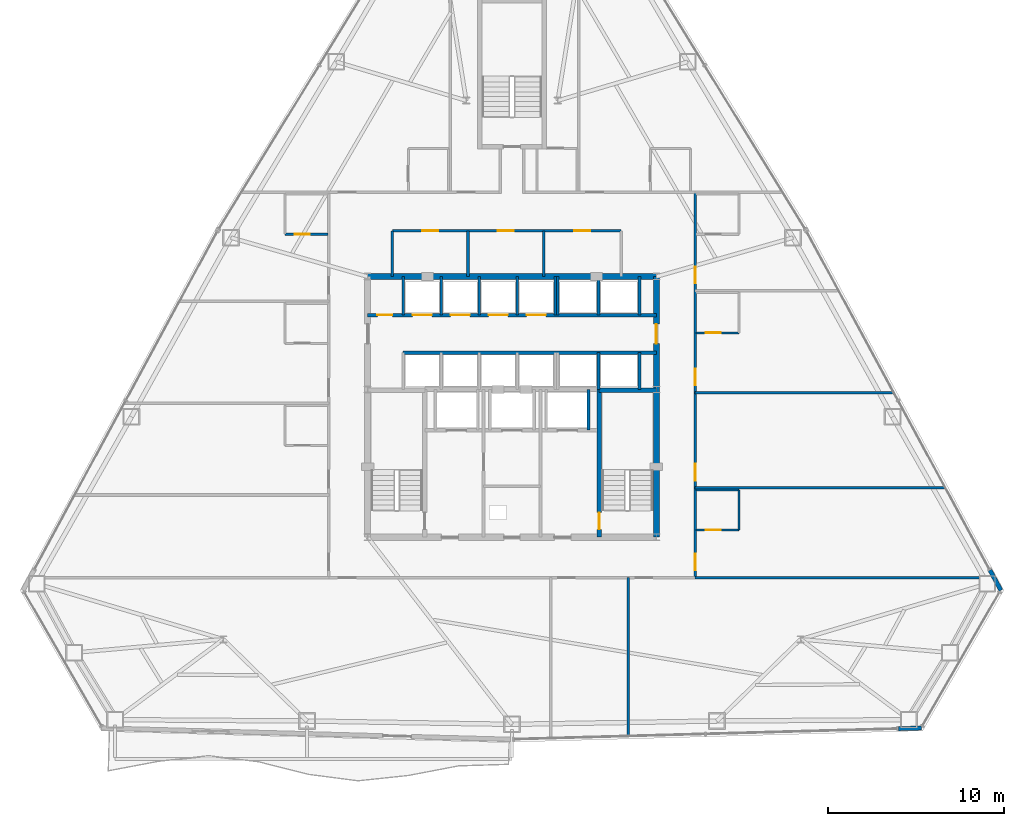
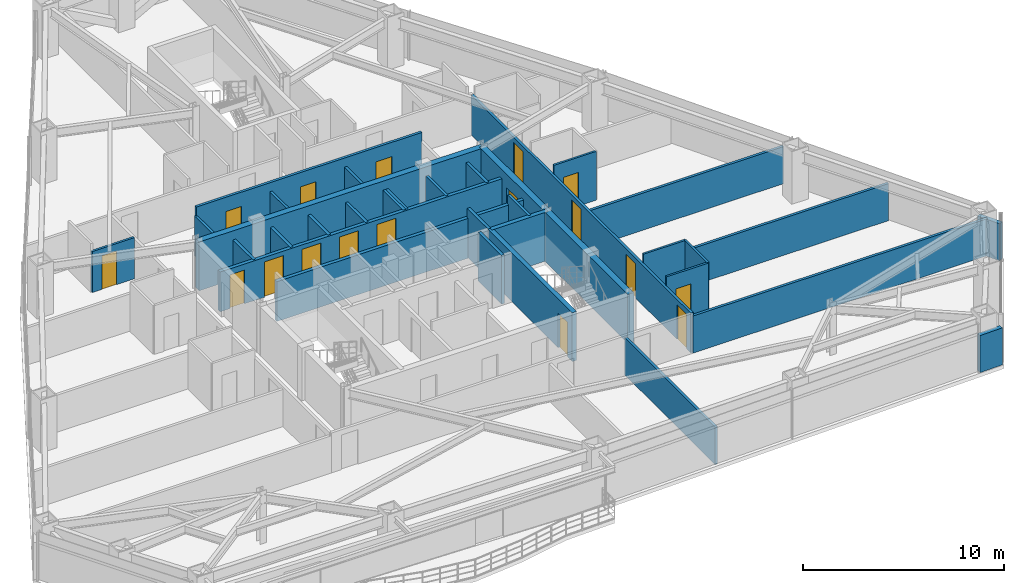
# One storey, part 10 of 13: 33 walls, 17 doors, 17 openings.
"""IFC4 building model written with IfcOpenShell, lengths in metres."""

from ifc_helpers import new_model, si_unit, direction, frame, frame_2d, origin, place, context, subcontext, project, spatial, rectangle, extrude, material, layer, layer_set, type_object, element, fill, save


model = new_model("IFC4")

# Units and contexts
model_context = context("Model", 3, precision=1e-05, world=origin(), true_north=direction((0.0, 1.0)))
body_context = subcontext(model_context, "Body", "Model", "MODEL_VIEW")
ifc_project = project(units=[si_unit("LENGTHUNIT", "METRE"), si_unit("AREAUNIT", "SQUARE_METRE"), si_unit("VOLUMEUNIT", "CUBIC_METRE"), si_unit("PLANEANGLEUNIT", "RADIAN"), si_unit("MASSUNIT", "GRAM", prefix="KILO")], contexts=[model_context])

# Site, building, storey
site_placement = place(None, origin())
site = spatial("IfcSite", under=ifc_project, at=site_placement, CompositionType="ELEMENT")
building_placement = place(site_placement, origin())
building = spatial("IfcBuilding", under=site, at=building_placement, Name="Varakhsha Concourse Tower", CompositionType="ELEMENT")
storey_placement = place(building_placement, frame((0.0, 0.0, 102.199951171875)))
storey = spatial("IfcBuildingStorey", under=building, at=storey_placement, Name="L29", CompositionType="ELEMENT", Elevation=102.199951171875)

# Wall
ifc_material_1 = material(Name="Concrete fc 65 MPa", Category="concrete")
ifc_layer_1 = layer(ifc_material_1, 0.35009765625, Name="WL-CORE-350")
ifc_layer_set_1 = layer_set([ifc_layer_1], Name="Concrete fc 65 MPa")
wall_type_1 = type_object("IfcWallType", Name="WL-CORE-350", PredefinedType="SHEAR", material=ifc_layer_set_1)
wall_1_placement = place(storey_placement, frame((31.800048828125, 31.199951171875, 0.0), z_axis=(0.0, 0.0, 1.0), x_axis=(1.0, 0.0, 0.0)))
element("IfcWall", 1, at=wall_1_placement, inside=storey, type_object=wall_type_1, Name="L29 Wall CWALL-N-L29", PredefinedType="SHEAR", context=body_context, shape_type="SweptSolid", body=[
    extrude(rectangle(XDim=16.39990234375, YDim=0.35009765625, at=frame_2d((8.199951171875, 0.0))), origin(), (0.0, 0.0, 1.0), 2.969970703125),
])

# Wall, opening, door
wall_2_placement = place(storey_placement, frame((48.199951171875, 16.39990234375, 0.0), z_axis=(0.0, 0.0, 1.0), x_axis=(0.0, 1.0, 0.0)))
wall_2 = element("IfcWall", 2, at=wall_2_placement, inside=storey, type_object=wall_type_1, Name="L29 Wall CWALL-E-L29", PredefinedType="SHEAR", context=body_context, shape_type="SweptSolid", body=[
    extrude(rectangle(XDim=14.800048828125, YDim=0.35009765625, at=frame_2d((7.39990234375, 0.0))), origin(), (0.0, 0.0, 1.0), 2.969970703125),
])
opening_1_placement = place(wall_2_placement, frame((11.0, 0.0, 0.0)))
opening_1 = element("IfcOpeningElement", 3, at=opening_1_placement, cuts=wall_2, Name="Opening DL-01", PredefinedType="OPENING", context=body_context, shape_type="SweptSolid", body=[
    extrude(rectangle(XDim=1.10009765625, YDim=2.14990234375, at=frame_2d((0.550048828125, 1.074951171875))), frame((0.0, 0.18505859375, 0.0), z_axis=(0.0, -1.0, 0.0), x_axis=(1.0, 0.0, 0.0)), (0.0, 0.0, 1.0), 0.3701171875),
])
ifc_material_2 = material(Name="Anodised Bronze Architectural Aluminium AA 6063-T6", Category="aluminium")
door_type_1 = type_object("IfcDoorType", Name="DR-LOB-1100", OperationType="NOTDEFINED", PredefinedType="DOOR", material=ifc_material_2)
door_1_placement = place(opening_1_placement, origin())
door_1 = element("IfcDoor", 4, at=door_1_placement, inside=storey, type_object=door_type_1, Name="L29 Lift Lobby East Concourse Door", OperationType="SINGLE_SWING_RIGHT", OverallHeight=2.14990234375, OverallWidth=1.10009765625, PredefinedType="DOOR", context=body_context, shape_type="SweptSolid", body=[
    extrude(rectangle(XDim=1.10009765625, YDim=2.14990234375, at=frame_2d((0.550048828125, 1.074951171875))), frame((0.0, 0.02490234375, 0.0), z_axis=(0.0, -1.0, 0.0), x_axis=(1.0, 0.0, 0.0)), (0.0, 0.0, 1.0), 0.050048828125),
])
fill(opening_1, door_1)

# Walls
ifc_material_3 = material(Name="Concrete fc 45 MPa", Category="concrete")
ifc_layer_2 = layer(ifc_material_3, 0.239990234375, Name="WL-EXT-CRN-240")
ifc_layer_set_2 = layer_set([ifc_layer_2], Name="Concrete fc 45 MPa")
wall_type_2 = type_object("IfcWallType", Name="WL-EXT-CRN-240", PredefinedType="SHEAR", material=ifc_layer_set_2)
wall_3_placement = place(storey_placement, frame((61.94775390625, 5.521728515625, 0.0), z_axis=(0.0, 0.0, 1.0), x_axis=(0.999614564295, 0.027761895635, 0.0)))
element("IfcWall", 5, at=wall_3_placement, inside=storey, type_object=wall_type_2, Name="L29 Wind-Corner Shoulder Wall F6", PredefinedType="SHEAR", context=body_context, shape_type="SweptSolid", body=[
    extrude(rectangle(XDim=1.310302734375, YDim=0.239990234375, at=frame_2d((0.6552734375, 0.0))), origin(), (0.0, 0.0, 1.0), 2.2529296875),
])
wall_4_placement = place(storey_placement, frame((67.773193359375, 13.37939453125, 0.0), z_axis=(0.0, 0.0, 1.0), x_axis=(-0.475820948293, 0.879542167929, 0.0)))
element("IfcWall", 6, at=wall_4_placement, inside=storey, type_object=wall_type_2, Name="L29 Wind-Corner Shoulder Wall F8", PredefinedType="SHEAR", context=body_context, shape_type="SweptSolid", body=[
    extrude(rectangle(XDim=1.310546875, YDim=0.239990234375, at=frame_2d((0.6552734375, 0.0))), origin(), (0.0, 0.0, 1.0), 2.2529296875),
])

# Wall, opening, door
ifc_material_4 = material(Name="Acoustic Gypsum Board Partition Assembly", Category="gypsum")
ifc_layer_3 = layer(ifc_material_4, 0.1201171875, Name="WL-PART-120")
ifc_layer_set_3 = layer_set([ifc_layer_3], Name="Acoustic Gypsum Board Partition Assembly")
wall_type_3 = type_object("IfcWallType", Name="WL-PART-120", PredefinedType="PARTITIONING", material=ifc_layer_set_3)
wall_5_placement = place(storey_placement, frame((27.110107421875, 33.610107421875, 0.0), z_axis=(0.0, 0.0, 1.0), x_axis=(1.0, 0.0, 0.0)))
wall_5 = element("IfcWall", 7, at=wall_5_placement, inside=storey, type_object=wall_type_3, Name="L29 Wall ENSW-S-L29-H07", PredefinedType="PARTITIONING", context=body_context, shape_type="SweptSolid", body=[
    extrude(rectangle(XDim=2.429931640625, YDim=0.1201171875, at=frame_2d((1.21484375, 0.0))), origin(), (0.0, 0.0, 1.0), 2.5029296875),
])
opening_2_placement = place(wall_5_placement, frame((0.550048828125, 0.0, 0.0)))
opening_2 = element("IfcOpeningElement", 8, at=opening_2_placement, cuts=wall_5, Name="Opening DI-01", PredefinedType="OPENING", context=body_context, shape_type="SweptSolid", body=[
    extrude(rectangle(XDim=0.85009765625, YDim=2.050048828125, at=frame_2d((0.425048828125, 1.02490234375))), frame((0.0, 0.070068359375, 0.0), z_axis=(0.0, -1.0, 0.0), x_axis=(1.0, 0.0, 0.0)), (0.0, 0.0, 1.0), 0.14013671875),
])
ifc_material_5 = material(Name="Architectural Walnut Acoustic Timber Door", Category="wood")
door_type_2 = type_object("IfcDoorType", Name="DR-INT-850", OperationType="NOTDEFINED", PredefinedType="DOOR", material=ifc_material_5)
door_2_placement = place(opening_2_placement, origin())
door_2 = element("IfcDoor", 9, at=door_2_placement, inside=storey, type_object=door_type_2, Name="L29 En-suite Bathroom Door L29-H07", OperationType="SINGLE_SWING_RIGHT", OverallHeight=2.050048828125, OverallWidth=0.85009765625, PredefinedType="DOOR", context=body_context, shape_type="SweptSolid", body=[
    extrude(rectangle(XDim=0.85009765625, YDim=2.050048828125, at=frame_2d((0.425048828125, 1.02490234375))), frame((0.0, 0.02490234375, 0.0), z_axis=(0.0, -1.0, 0.0), x_axis=(1.0, 0.0, 0.0)), (0.0, 0.0, 1.0), 0.050048828125),
])
fill(opening_2, door_2)

# Wall
wall_6_placement = place(storey_placement, frame((52.889892578125, 16.81005859375, 0.0), z_axis=(0.0, 0.0, 1.0), x_axis=(0.0, 1.0, 0.0)))
element("IfcWall", 10, at=wall_6_placement, inside=storey, type_object=wall_type_3, Name="L29 Wall ENSW-E-L29-H08", PredefinedType="PARTITIONING", context=body_context, shape_type="SweptSolid", body=[
    extrude(rectangle(XDim=2.280029296875, YDim=0.1201171875, at=frame_2d((1.14013671875, 0.0))), origin(), (0.0, 0.0, 1.0), 2.969970703125),
])

# Wall, opening, door
wall_7_placement = place(storey_placement, frame((50.4599609375, 16.81005859375, 0.0), z_axis=(0.0, 0.0, 1.0), x_axis=(1.0, 0.0, 0.0)))
wall_7 = element("IfcWall", 11, at=wall_7_placement, inside=storey, type_object=wall_type_3, Name="L29 Wall ENSW-S-L29-H08", PredefinedType="PARTITIONING", context=body_context, shape_type="SweptSolid", body=[
    extrude(rectangle(XDim=2.429931640625, YDim=0.1201171875, at=frame_2d((1.21484375, 0.0))), origin(), (0.0, 0.0, 1.0), 2.969970703125),
])
opening_3_placement = place(wall_7_placement, frame((0.550048828125, 0.0, 0.0)))
opening_3 = element("IfcOpeningElement", 12, at=opening_3_placement, cuts=wall_7, Name="Opening DI-01", PredefinedType="OPENING", context=body_context, shape_type="SweptSolid", body=[
    extrude(rectangle(XDim=0.85009765625, YDim=2.050048828125, at=frame_2d((0.425048828125, 1.02490234375))), frame((0.0, 0.070068359375, 0.0), z_axis=(0.0, -1.0, 0.0), x_axis=(1.0, 0.0, 0.0)), (0.0, 0.0, 1.0), 0.14013671875),
])
door_3_placement = place(opening_3_placement, origin())
door_3 = element("IfcDoor", 13, at=door_3_placement, inside=storey, type_object=door_type_2, Name="L29 En-suite Bathroom Door L29-H08", OperationType="SINGLE_SWING_RIGHT", OverallHeight=2.050048828125, OverallWidth=0.85009765625, PredefinedType="DOOR", context=body_context, shape_type="SweptSolid", body=[
    extrude(rectangle(XDim=0.85009765625, YDim=2.050048828125, at=frame_2d((0.425048828125, 1.02490234375))), frame((0.0, 0.02490234375, 0.0), z_axis=(0.0, -1.0, 0.0), x_axis=(1.0, 0.0, 0.0)), (0.0, 0.0, 1.0), 0.050048828125),
])
fill(opening_3, door_3)

# Wall
wall_8_placement = place(storey_placement, frame((50.4599609375, 19.090087890625, 0.0), z_axis=(0.0, 0.0, 1.0), x_axis=(1.0, 0.0, 0.0)))
element("IfcWall", 14, at=wall_8_placement, inside=storey, type_object=wall_type_3, Name="L29 Wall ENSW-N-L29-H08", PredefinedType="PARTITIONING", context=body_context, shape_type="SweptSolid", body=[
    extrude(rectangle(XDim=2.429931640625, YDim=0.1201171875, at=frame_2d((1.21484375, 0.0))), origin(), (0.0, 0.0, 1.0), 2.969970703125),
])

# Wall, opening, door
wall_9_placement = place(storey_placement, frame((50.4599609375, 28.010009765625, 0.0), z_axis=(0.0, 0.0, 1.0), x_axis=(1.0, 0.0, 0.0)))
wall_9 = element("IfcWall", 15, at=wall_9_placement, inside=storey, type_object=wall_type_3, Name="L29 Wall ENSW-S-L29-H10", PredefinedType="PARTITIONING", context=body_context, shape_type="SweptSolid", body=[
    extrude(rectangle(XDim=2.429931640625, YDim=0.1201171875, at=frame_2d((1.21484375, 0.0))), origin(), (0.0, 0.0, 1.0), 2.969970703125),
])
opening_4_placement = place(wall_9_placement, frame((0.550048828125, 0.0, 0.0)))
opening_4 = element("IfcOpeningElement", 16, at=opening_4_placement, cuts=wall_9, Name="Opening DI-01", PredefinedType="OPENING", context=body_context, shape_type="SweptSolid", body=[
    extrude(rectangle(XDim=0.85009765625, YDim=2.050048828125, at=frame_2d((0.425048828125, 1.02490234375))), frame((0.0, 0.070068359375, 0.0), z_axis=(0.0, -1.0, 0.0), x_axis=(1.0, 0.0, 0.0)), (0.0, 0.0, 1.0), 0.14013671875),
])
door_4_placement = place(opening_4_placement, origin())
door_4 = element("IfcDoor", 17, at=door_4_placement, inside=storey, type_object=door_type_2, Name="L29 En-suite Bathroom Door L29-H10", OperationType="SINGLE_SWING_RIGHT", OverallHeight=2.050048828125, OverallWidth=0.85009765625, PredefinedType="DOOR", context=body_context, shape_type="SweptSolid", body=[
    extrude(rectangle(XDim=0.85009765625, YDim=2.050048828125, at=frame_2d((0.425048828125, 1.02490234375))), frame((0.0, 0.02490234375, 0.0), z_axis=(0.0, -1.0, 0.0), x_axis=(1.0, 0.0, 0.0)), (0.0, 0.0, 1.0), 0.050048828125),
])
fill(opening_4, door_4)

# Wall, openings, doors
ifc_material_6 = material(Name="Fire-Rated Type X Gypsum Partition Assembly", Category="gypsum")
ifc_layer_4 = layer(ifc_material_6, 0.14990234375, Name="WL-PART-150")
ifc_layer_set_4 = layer_set([ifc_layer_4], Name="Fire-Rated Type X Gypsum Partition Assembly")
wall_type_4 = type_object("IfcWallType", Name="WL-PART-150", PredefinedType="PARTITIONING", material=ifc_layer_set_4)
wall_10_placement = place(storey_placement, frame((33.199951171875, 33.800048828125, 0.0), z_axis=(0.0, 0.0, 1.0), x_axis=(1.0, 0.0, 0.0)))
wall_10 = element("IfcWall", 18, at=wall_10_placement, inside=storey, type_object=wall_type_4, Name="L29 Wall NBOH-N-L29", PredefinedType="PARTITIONING", context=body_context, shape_type="SweptSolid", body=[
    extrude(rectangle(XDim=13.0, YDim=0.14990234375, at=frame_2d((6.5, 0.0))), origin(), (0.0, 0.0, 1.0), 2.969970703125),
])
opening_5_placement = place(wall_10_placement, frame((1.699951171875, 0.0, 0.0)))
opening_5 = element("IfcOpeningElement", 19, at=opening_5_placement, cuts=wall_10, Name="Opening DF-06", PredefinedType="OPENING", context=body_context, shape_type="SweptSolid", body=[
    extrude(rectangle(XDim=0.89990234375, YDim=2.10009765625, at=frame_2d((0.449951171875, 1.050048828125))), frame((0.0, 0.0849609375, 0.0), z_axis=(0.0, -1.0, 0.0), x_axis=(1.0, 0.0, 0.0)), (0.0, 0.0, 1.0), 0.169921875),
])
opening_6_placement = place(wall_10_placement, frame((6.0, 0.0, 0.0)))
opening_6 = element("IfcOpeningElement", 20, at=opening_6_placement, cuts=wall_10, Name="Opening DF-06", PredefinedType="OPENING", context=body_context, shape_type="SweptSolid", body=[
    extrude(rectangle(XDim=0.89990234375, YDim=2.10009765625, at=frame_2d((0.449951171875, 1.050048828125))), frame((0.0, 0.0849609375, 0.0), z_axis=(0.0, -1.0, 0.0), x_axis=(1.0, 0.0, 0.0)), (0.0, 0.0, 1.0), 0.169921875),
])
opening_7_placement = place(wall_10_placement, frame((10.35009765625, 0.0, 0.0)))
opening_7 = element("IfcOpeningElement", 21, at=opening_7_placement, cuts=wall_10, Name="Opening DF-06", PredefinedType="OPENING", context=body_context, shape_type="SweptSolid", body=[
    extrude(rectangle(XDim=0.89990234375, YDim=2.10009765625, at=frame_2d((0.449951171875, 1.050048828125))), frame((0.0, 0.0849609375, 0.0), z_axis=(0.0, -1.0, 0.0), x_axis=(1.0, 0.0, 0.0)), (0.0, 0.0, 1.0), 0.169921875),
])
ifc_material_7 = material(Name="Hollow Galvanised Steel Fire Door Assembly", Category="steel")
door_type_3 = type_object("IfcDoorType", Name="DR-FD60-900", OperationType="NOTDEFINED", PredefinedType="DOOR", material=ifc_material_7)
door_5_placement = place(opening_5_placement, origin())
door_5 = element("IfcDoor", 22, at=door_5_placement, inside=storey, type_object=door_type_3, Name="L29 Housekeeping and Linen Room Door", OperationType="SINGLE_SWING_LEFT", OverallHeight=2.10009765625, OverallWidth=0.89990234375, PredefinedType="DOOR", context=body_context, shape_type="SweptSolid", body=[
    extrude(rectangle(XDim=0.89990234375, YDim=2.10009765625, at=frame_2d((0.449951171875, 1.050048828125))), frame((0.0, 0.02490234375, 0.0), z_axis=(0.0, -1.0, 0.0), x_axis=(1.0, 0.0, 0.0)), (0.0, 0.0, 1.0), 0.050048828125),
])
fill(opening_5, door_5)
door_6_placement = place(opening_6_placement, origin())
door_6 = element("IfcDoor", 23, at=door_6_placement, inside=storey, type_object=door_type_3, Name="L29 Accessible WC Door", OperationType="SINGLE_SWING_RIGHT", OverallHeight=2.10009765625, OverallWidth=0.89990234375, PredefinedType="DOOR", context=body_context, shape_type="SweptSolid", body=[
    extrude(rectangle(XDim=0.89990234375, YDim=2.10009765625, at=frame_2d((0.449951171875, 1.050048828125))), frame((0.0, 0.02490234375, 0.0), z_axis=(0.0, -1.0, 0.0), x_axis=(1.0, 0.0, 0.0)), (0.0, 0.0, 1.0), 0.050048828125),
])
fill(opening_6, door_6)
door_7_placement = place(opening_7_placement, origin())
door_7 = element("IfcDoor", 24, at=door_7_placement, inside=storey, type_object=door_type_3, Name="L29 Staff Restroom WC Door", OperationType="SINGLE_SWING_LEFT", OverallHeight=2.10009765625, OverallWidth=0.89990234375, PredefinedType="DOOR", context=body_context, shape_type="SweptSolid", body=[
    extrude(rectangle(XDim=0.89990234375, YDim=2.10009765625, at=frame_2d((0.449951171875, 1.050048828125))), frame((0.0, 0.02490234375, 0.0), z_axis=(0.0, -1.0, 0.0), x_axis=(1.0, 0.0, 0.0)), (0.0, 0.0, 1.0), 0.050048828125),
])
fill(opening_7, door_7)

# Walls
for number, where, z_axis, x_axis, name in (
    (25, (33.199951171875, 31.199951171875, 0.0), (0.0, 0.0, 1.0), (0.0, 1.0, 0.0), "L29 Wall NBOH-W-L29"),
    (26, (37.5, 31.199951171875, 0.0), (0.0, 0.0, 1.0), (0.0, 1.0, 0.0), "L29 Wall NBOH-D1-L29"),
    (27, (41.800048828125, 31.199951171875, 0.0), (0.0, 0.0, 1.0), (0.0, 1.0, 0.0), "L29 Wall NBOH-D2-L29"),
):
    element("IfcWall", number, at=place(storey_placement, frame(where, z_axis=z_axis, x_axis=x_axis)), inside=storey, type_object=wall_type_4, Name=name, PredefinedType="PARTITIONING", context=body_context, shape_type="SweptSolid", body=[
        extrude(rectangle(XDim=2.60009765625, YDim=0.14990234375, at=frame_2d((1.300048828125, 0.0))), origin(), (0.0, 0.0, 1.0), 2.421142578125),
    ])

# Wall, openings, doors
wall_11_placement = place(storey_placement, frame((50.39990234375, 14.10009765625, 0.0), z_axis=(0.0, 0.0, 1.0), x_axis=(0.0, 1.0, 0.0)))
wall_11 = element("IfcWall", 28, at=wall_11_placement, inside=storey, type_object=wall_type_4, Name="L29 Wall CRW-E-L29", PredefinedType="PARTITIONING", context=body_context, shape_type="SweptSolid", body=[
    extrude(rectangle(XDim=21.89990234375, YDim=0.14990234375, at=frame_2d((10.949951171875, 0.0))), origin(), (0.0, 0.0, 1.0), 2.421142578125),
])
opening_8_placement = place(wall_11_placement, frame((0.419921875, 0.0, 0.0)))
opening_8 = element("IfcOpeningElement", 29, at=opening_8_placement, cuts=wall_11, Name="Opening DF-05", PredefinedType="OPENING", context=body_context, shape_type="SweptSolid", body=[
    extrude(rectangle(XDim=0.949951171875, YDim=2.10009765625, at=frame_2d((0.47509765625, 1.050048828125))), frame((0.0, 0.0849609375, 0.0), z_axis=(0.0, -1.0, 0.0), x_axis=(1.0, 0.0, 0.0)), (0.0, 0.0, 1.0), 0.169921875),
])
opening_9_placement = place(wall_11_placement, frame((5.52001953125, 0.0, 0.0)))
opening_9 = element("IfcOpeningElement", 30, at=opening_9_placement, cuts=wall_11, Name="Opening DF-05", PredefinedType="OPENING", context=body_context, shape_type="SweptSolid", body=[
    extrude(rectangle(XDim=0.949951171875, YDim=2.10009765625, at=frame_2d((0.47509765625, 1.050048828125))), frame((0.0, 0.0849609375, 0.0), z_axis=(0.0, -1.0, 0.0), x_axis=(1.0, 0.0, 0.0)), (0.0, 0.0, 1.0), 0.169921875),
])
opening_10_placement = place(wall_11_placement, frame((10.919921875, 0.0, 0.0)))
opening_10 = element("IfcOpeningElement", 31, at=opening_10_placement, cuts=wall_11, Name="Opening DF-05", PredefinedType="OPENING", context=body_context, shape_type="SweptSolid", body=[
    extrude(rectangle(XDim=0.949951171875, YDim=2.10009765625, at=frame_2d((0.47509765625, 1.050048828125))), frame((0.0, 0.0849609375, 0.0), z_axis=(0.0, -1.0, 0.0), x_axis=(1.0, 0.0, 0.0)), (0.0, 0.0, 1.0), 0.169921875),
])
opening_11_placement = place(wall_11_placement, frame((16.719970703125, 0.0, 0.0)))
opening_11 = element("IfcOpeningElement", 32, at=opening_11_placement, cuts=wall_11, Name="Opening DF-05", PredefinedType="OPENING", context=body_context, shape_type="SweptSolid", body=[
    extrude(rectangle(XDim=0.949951171875, YDim=2.10009765625, at=frame_2d((0.47509765625, 1.050048828125))), frame((0.0, 0.0849609375, 0.0), z_axis=(0.0, -1.0, 0.0), x_axis=(1.0, 0.0, 0.0)), (0.0, 0.0, 1.0), 0.169921875),
])
door_type_4 = type_object("IfcDoorType", Name="DR-FD60-950", OperationType="NOTDEFINED", PredefinedType="DOOR", material=ifc_material_7)
door_8_placement = place(opening_8_placement, origin())
door_8 = element("IfcDoor", 33, at=door_8_placement, inside=storey, type_object=door_type_4, Name="L29 Hotel Corner Suite L29-H08 Entry Door", OperationType="SINGLE_SWING_RIGHT", OverallHeight=2.10009765625, OverallWidth=0.949951171875, PredefinedType="DOOR", context=body_context, shape_type="SweptSolid", body=[
    extrude(rectangle(XDim=0.949951171875, YDim=2.10009765625, at=frame_2d((0.47509765625, 1.050048828125))), frame((0.0, 0.02490234375, 0.0), z_axis=(0.0, -1.0, 0.0), x_axis=(1.0, 0.0, 0.0)), (0.0, 0.0, 1.0), 0.050048828125),
])
fill(opening_8, door_8)
door_9_placement = place(opening_9_placement, origin())
door_9 = element("IfcDoor", 34, at=door_9_placement, inside=storey, type_object=door_type_4, Name="L29 Sky-Loggia Reading Lounge L29-H09 Door", OperationType="SINGLE_SWING_LEFT", OverallHeight=2.10009765625, OverallWidth=0.949951171875, PredefinedType="DOOR", context=body_context, shape_type="SweptSolid", body=[
    extrude(rectangle(XDim=0.949951171875, YDim=2.10009765625, at=frame_2d((0.47509765625, 1.050048828125))), frame((0.0, 0.02490234375, 0.0), z_axis=(0.0, -1.0, 0.0), x_axis=(1.0, 0.0, 0.0)), (0.0, 0.0, 1.0), 0.050048828125),
])
fill(opening_9, door_9)
door_10_placement = place(opening_10_placement, origin())
door_10 = element("IfcDoor", 35, at=door_10_placement, inside=storey, type_object=door_type_4, Name="L29 Hotel Corner Suite L29-H10 Entry Door", OperationType="SINGLE_SWING_RIGHT", OverallHeight=2.10009765625, OverallWidth=0.949951171875, PredefinedType="DOOR", context=body_context, shape_type="SweptSolid", body=[
    extrude(rectangle(XDim=0.949951171875, YDim=2.10009765625, at=frame_2d((0.47509765625, 1.050048828125))), frame((0.0, 0.02490234375, 0.0), z_axis=(0.0, -1.0, 0.0), x_axis=(1.0, 0.0, 0.0)), (0.0, 0.0, 1.0), 0.050048828125),
])
fill(opening_10, door_10)
door_11_placement = place(opening_11_placement, origin())
door_11 = element("IfcDoor", 36, at=door_11_placement, inside=storey, type_object=door_type_4, Name="L29 Hotel Guest Room L29-H11 Entry Door", OperationType="SINGLE_SWING_LEFT", OverallHeight=2.10009765625, OverallWidth=0.949951171875, PredefinedType="DOOR", context=body_context, shape_type="SweptSolid", body=[
    extrude(rectangle(XDim=0.949951171875, YDim=2.10009765625, at=frame_2d((0.47509765625, 1.050048828125))), frame((0.0, 0.02490234375, 0.0), z_axis=(0.0, -1.0, 0.0), x_axis=(1.0, 0.0, 0.0)), (0.0, 0.0, 1.0), 0.050048828125),
])
fill(opening_11, door_11)

# Walls
wall_12_placement = place(storey_placement, frame((46.60009765625, 5.10400390625, 0.0), z_axis=(0.0, 0.0, 1.0), x_axis=(0.0, 1.0, 0.0)))
element("IfcWall", 37, at=wall_12_placement, inside=storey, type_object=wall_type_4, Name="L29 Wall HDIV-S2-L29", PredefinedType="PARTITIONING", context=body_context, shape_type="SweptSolid", body=[
    extrude(rectangle(XDim=8.99609375, YDim=0.14990234375, at=frame_2d((4.498046875, 0.0))), origin(), (0.0, 0.0, 1.0), 2.258056640625),
])
wall_13_placement = place(storey_placement, frame((50.39990234375, 14.10009765625, 0.0), z_axis=(0.0, 0.0, 1.0), x_axis=(1.0, 0.0, 0.0)))
element("IfcWall", 38, at=wall_13_placement, inside=storey, type_object=wall_type_4, Name="L29 Wall HDIV-EB0-L29", PredefinedType="PARTITIONING", context=body_context, shape_type="SweptSolid", body=[
    extrude(rectangle(XDim=16.977783203125, YDim=0.14990234375, at=frame_2d((8.48876953125, 0.0))), origin(), (0.0, 0.0, 1.0), 2.258056640625),
])
wall_14_placement = place(storey_placement, frame((50.39990234375, 19.199951171875, 0.0), z_axis=(0.0, 0.0, 1.0), x_axis=(1.0, 0.0, 0.0)))
element("IfcWall", 39, at=wall_14_placement, inside=storey, type_object=wall_type_4, Name="L29 Wall HDIV-E1-L29", PredefinedType="PARTITIONING", context=body_context, shape_type="SweptSolid", body=[
    extrude(rectangle(XDim=14.2177734375, YDim=0.14990234375, at=frame_2d((7.10888671875, 0.0))), origin(), (0.0, 0.0, 1.0), 2.258056640625),
])
wall_15_placement = place(storey_placement, frame((50.39990234375, 24.60009765625, 0.0), z_axis=(0.0, 0.0, 1.0), x_axis=(1.0, 0.0, 0.0)))
element("IfcWall", 40, at=wall_15_placement, inside=storey, type_object=wall_type_4, Name="L29 Wall HDIV-E2-L29", PredefinedType="PARTITIONING", context=body_context, shape_type="SweptSolid", body=[
    extrude(rectangle(XDim=11.29541015625, YDim=0.14990234375, at=frame_2d((5.647705078125, 0.0))), origin(), (0.0, 0.0, 1.0), 2.258056640625),
])
ifc_layer_5 = layer(ifc_material_6, 0.199951171875, Name="WL-SHAFT-220")
ifc_layer_set_5 = layer_set([ifc_layer_5], Name="Fire-Rated Type X Gypsum Partition Assembly")
wall_type_5 = type_object("IfcWallType", Name="WL-SHAFT-220", PredefinedType="SOLIDWALL", material=ifc_layer_set_5)
wall_16_placement = place(storey_placement, frame((44.35009765625, 22.47998046875, 0.0), z_axis=(0.0, 0.0, 1.0), x_axis=(0.0, 1.0, 0.0)))
element("IfcWall", 41, at=wall_16_placement, inside=storey, type_object=wall_type_5, Name="L29 Wall SHW-FFL-2-E-L29", PredefinedType="SOLIDWALL", context=body_context, shape_type="SweptSolid", body=[
    extrude(rectangle(XDim=2.320068359375, YDim=0.159912109375, at=frame_2d((1.16015625, 0.0))), origin(), (0.0, 0.0, 1.0), 2.969970703125),
])

# Wall, openings, doors
wall_17_placement = place(storey_placement, frame((31.800048828125, 29.02001953125, 0.0), z_axis=(0.0, 0.0, 1.0), x_axis=(1.0, 0.0, 0.0)))
wall_17 = element("IfcWall", 42, at=wall_17_placement, inside=storey, type_object=wall_type_5, Name="L29 Wall PLW-N-L29", PredefinedType="SOLIDWALL", context=body_context, shape_type="SweptSolid", body=[
    extrude(rectangle(XDim=16.39990234375, YDim=0.199951171875, at=frame_2d((8.199951171875, 0.0))), origin(), (0.0, 0.0, 1.0), 2.421142578125),
])
opening_12_placement = place(wall_17_placement, frame((0.550048828125, 0.0, 0.0)))
opening_12 = element("IfcOpeningElement", 43, at=opening_12_placement, cuts=wall_17, Name="Opening DF-07", PredefinedType="OPENING", context=body_context, shape_type="SweptSolid", body=[
    extrude(rectangle(XDim=0.85009765625, YDim=2.050048828125, at=frame_2d((0.425048828125, 1.02490234375))), frame((0.0, 0.10986328125, 0.0), z_axis=(0.0, -1.0, 0.0), x_axis=(1.0, 0.0, 0.0)), (0.0, 0.0, 1.0), 0.219970703125),
])
opening_13_placement = place(wall_17_placement, frame((2.550048828125, 0.0, 0.0)))
opening_13 = element("IfcOpeningElement", 44, at=opening_13_placement, cuts=wall_17, Name="Opening LD-LF-P01", PredefinedType="OPENING", context=body_context, shape_type="SweptSolid", body=[
    extrude(rectangle(XDim=1.10009765625, YDim=2.14990234375, at=frame_2d((0.550048828125, 1.074951171875))), frame((0.0, 0.10986328125, 0.0), z_axis=(0.0, -1.0, 0.0), x_axis=(1.0, 0.0, 0.0)), (0.0, 0.0, 1.0), 0.219970703125),
])
opening_14_placement = place(wall_17_placement, frame((4.7099609375, 0.0, 0.0)))
opening_14 = element("IfcOpeningElement", 45, at=opening_14_placement, cuts=wall_17, Name="Opening LD-LF-P02", PredefinedType="OPENING", context=body_context, shape_type="SweptSolid", body=[
    extrude(rectangle(XDim=1.10009765625, YDim=2.14990234375, at=frame_2d((0.550048828125, 1.074951171875))), frame((0.0, 0.10986328125, 0.0), z_axis=(0.0, -1.0, 0.0), x_axis=(1.0, 0.0, 0.0)), (0.0, 0.0, 1.0), 0.219970703125),
])
opening_15_placement = place(wall_17_placement, frame((6.8701171875, 0.0, 0.0)))
opening_15 = element("IfcOpeningElement", 46, at=opening_15_placement, cuts=wall_17, Name="Opening LD-LF-P03", PredefinedType="OPENING", context=body_context, shape_type="SweptSolid", body=[
    extrude(rectangle(XDim=1.10009765625, YDim=2.14990234375, at=frame_2d((0.550048828125, 1.074951171875))), frame((0.0, 0.10986328125, 0.0), z_axis=(0.0, -1.0, 0.0), x_axis=(1.0, 0.0, 0.0)), (0.0, 0.0, 1.0), 0.219970703125),
])
opening_16_placement = place(wall_17_placement, frame((9.030029296875, 0.0, 0.0)))
opening_16 = element("IfcOpeningElement", 47, at=opening_16_placement, cuts=wall_17, Name="Opening LD-LF-P04", PredefinedType="OPENING", context=body_context, shape_type="SweptSolid", body=[
    extrude(rectangle(XDim=1.10009765625, YDim=2.14990234375, at=frame_2d((0.550048828125, 1.074951171875))), frame((0.0, 0.10986328125, 0.0), z_axis=(0.0, -1.0, 0.0), x_axis=(1.0, 0.0, 0.0)), (0.0, 0.0, 1.0), 0.219970703125),
])
door_type_5 = type_object("IfcDoorType", Name="DR-FD60-850", OperationType="NOTDEFINED", PredefinedType="DOOR", material=ifc_material_7)
door_12_placement = place(opening_12_placement, origin())
door_12 = element("IfcDoor", 48, at=door_12_placement, inside=storey, type_object=door_type_5, Name="L29 Core Janitor Closet Door", OperationType="SINGLE_SWING_LEFT", OverallHeight=2.050048828125, OverallWidth=0.85009765625, PredefinedType="DOOR", context=body_context, shape_type="SweptSolid", body=[
    extrude(rectangle(XDim=0.85009765625, YDim=2.050048828125, at=frame_2d((0.425048828125, 1.02490234375))), frame((0.0, 0.02490234375, 0.0), z_axis=(0.0, -1.0, 0.0), x_axis=(1.0, 0.0, 0.0)), (0.0, 0.0, 1.0), 0.050048828125),
])
fill(opening_12, door_12)
ifc_material_8 = material(Name="Brushed Austenitic Stainless Steel AISI 316", Category="steel")
door_type_6 = type_object("IfcDoorType", Name="DR-LD-1100", OperationType="DOUBLE_DOOR_SLIDING", PredefinedType="DOOR", material=ifc_material_8)
door_13_placement = place(opening_13_placement, origin())
door_13 = element("IfcDoor", 49, at=door_13_placement, inside=storey, type_object=door_type_6, Name="Lift Landing Door LF-P01 L29", OperationType="DOUBLE_DOOR_SLIDING", OverallHeight=2.14990234375, OverallWidth=1.10009765625, PredefinedType="DOOR", context=body_context, shape_type="SweptSolid", body=[
    extrude(rectangle(XDim=1.10009765625, YDim=2.14990234375, at=frame_2d((0.550048828125, 1.074951171875))), frame((0.0, 0.02490234375, 0.0), z_axis=(0.0, -1.0, 0.0), x_axis=(1.0, 0.0, 0.0)), (0.0, 0.0, 1.0), 0.050048828125),
])
fill(opening_13, door_13)
door_14_placement = place(opening_14_placement, origin())
door_14 = element("IfcDoor", 50, at=door_14_placement, inside=storey, type_object=door_type_6, Name="Lift Landing Door LF-P02 L29", OperationType="DOUBLE_DOOR_SLIDING", OverallHeight=2.14990234375, OverallWidth=1.10009765625, PredefinedType="DOOR", context=body_context, shape_type="SweptSolid", body=[
    extrude(rectangle(XDim=1.10009765625, YDim=2.14990234375, at=frame_2d((0.550048828125, 1.074951171875))), frame((0.0, 0.02490234375, 0.0), z_axis=(0.0, -1.0, 0.0), x_axis=(1.0, 0.0, 0.0)), (0.0, 0.0, 1.0), 0.050048828125),
])
fill(opening_14, door_14)
door_15_placement = place(opening_15_placement, origin())
door_15 = element("IfcDoor", 51, at=door_15_placement, inside=storey, type_object=door_type_6, Name="Lift Landing Door LF-P03 L29", OperationType="DOUBLE_DOOR_SLIDING", OverallHeight=2.14990234375, OverallWidth=1.10009765625, PredefinedType="DOOR", context=body_context, shape_type="SweptSolid", body=[
    extrude(rectangle(XDim=1.10009765625, YDim=2.14990234375, at=frame_2d((0.550048828125, 1.074951171875))), frame((0.0, 0.02490234375, 0.0), z_axis=(0.0, -1.0, 0.0), x_axis=(1.0, 0.0, 0.0)), (0.0, 0.0, 1.0), 0.050048828125),
])
fill(opening_15, door_15)
door_16_placement = place(opening_16_placement, origin())
door_16 = element("IfcDoor", 52, at=door_16_placement, inside=storey, type_object=door_type_6, Name="Lift Landing Door LF-P04 L29", OperationType="DOUBLE_DOOR_SLIDING", OverallHeight=2.14990234375, OverallWidth=1.10009765625, PredefinedType="DOOR", context=body_context, shape_type="SweptSolid", body=[
    extrude(rectangle(XDim=1.10009765625, YDim=2.14990234375, at=frame_2d((0.550048828125, 1.074951171875))), frame((0.0, 0.02490234375, 0.0), z_axis=(0.0, -1.0, 0.0), x_axis=(1.0, 0.0, 0.0)), (0.0, 0.0, 1.0), 0.050048828125),
])
fill(opening_16, door_16)

# Walls
wall_18_placement = place(storey_placement, frame((33.820068359375, 26.8798828125, 0.0), z_axis=(0.0, 0.0, 1.0), x_axis=(1.0, 0.0, 0.0)))
element("IfcWall", 53, at=wall_18_placement, inside=storey, type_object=wall_type_5, Name="L29 Wall PLW-S-L29", PredefinedType="SOLIDWALL", context=body_context, shape_type="SweptSolid", body=[
    extrude(rectangle(XDim=14.3798828125, YDim=0.199951171875, at=frame_2d((7.18994140625, 0.0))), origin(), (0.0, 0.0, 1.0), 2.421142578125),
])
for number, where, z_axis, x_axis, name in (
    (54, (33.820068359375, 29.02001953125, 0.0), (0.0, 0.0, 1.0), (0.0, 1.0, 0.0), "L29 Wall WBOH-E1-L29"),
    (55, (35.97998046875, 29.02001953125, 0.0), (0.0, 0.0, 1.0), (0.0, 1.0, 0.0), "L29 Wall SHW-LF-P01-E-L29"),
    (56, (38.139892578125, 29.02001953125, 0.0), (0.0, 0.0, 1.0), (0.0, 1.0, 0.0), "L29 Wall SHW-LF-P02-E-L29"),
    (57, (40.300048828125, 29.02001953125, 0.0), (0.0, 0.0, 1.0), (0.0, 1.0, 0.0), "L29 Wall SHW-LF-P03-E-L29"),
    (58, (42.4599609375, 29.02001953125, 0.0), (0.0, 0.0, 1.0), (0.0, 1.0, 0.0), "L29 Wall SHW-LF-P04-E-L29"),
    (59, (42.60009765625, 29.02001953125, 0.0), (0.0, 0.0, 1.0), (0.0, 1.0, 0.0), "L29 Wall SHW-LF-P09-W-L29"),
    (60, (44.919921875, 29.02001953125, 0.0), (0.0, 0.0, 1.0), (0.0, 1.0, 0.0), "L29 Wall SHW-LF-P09-E-L29"),
    (61, (47.239990234375, 29.02001953125, 0.0), (0.0, 0.0, 1.0), (0.0, 1.0, 0.0), "L29 Wall SHW-LF-P10-E-L29"),
):
    element("IfcWall", number, at=place(storey_placement, frame(where, z_axis=z_axis, x_axis=x_axis)), inside=storey, type_object=wall_type_5, Name=name, PredefinedType="SOLIDWALL", context=body_context, shape_type="SweptSolid", body=[
        extrude(rectangle(XDim=2.179931640625, YDim=0.159912109375, at=frame_2d((1.08984375, 0.0))), origin(), (0.0, 0.0, 1.0), 2.421142578125),
    ])
for number, where, z_axis, x_axis, name in (
    (62, (44.919921875, 24.800048828125, 0.0), (0.0, 0.0, 1.0), (0.0, 1.0, 0.0), "L29 Wall SHW-LF-P11-E-L29"),
    (63, (47.239990234375, 24.800048828125, 0.0), (0.0, 0.0, 1.0), (0.0, 1.0, 0.0), "L29 Wall SHW-LF-P12-E-L29"),
):
    element("IfcWall", number, at=place(storey_placement, frame(where, z_axis=z_axis, x_axis=x_axis)), inside=storey, type_object=wall_type_5, Name=name, PredefinedType="SOLIDWALL", context=body_context, shape_type="SweptSolid", body=[
        extrude(rectangle(XDim=2.079833984375, YDim=0.159912109375, at=frame_2d((1.0400390625, 0.0))), origin(), (0.0, 0.0, 1.0), 2.969970703125),
    ])

# Wall, opening, door
ifc_layer_6 = layer(ifc_material_3, 0.25, Name="WL-STAIR-250")
ifc_layer_set_6 = layer_set([ifc_layer_6], Name="Concrete fc 45 MPa")
wall_type_6 = type_object("IfcWallType", Name="WL-STAIR-250", PredefinedType="SHEAR", material=ifc_layer_set_6)
wall_19_placement = place(storey_placement, frame((44.955078125, 16.39990234375, 0.0), z_axis=(0.0, 0.0, 1.0), x_axis=(0.0, 1.0, 0.0)))
wall_19 = element("IfcWall", 64, at=wall_19_placement, inside=storey, type_object=wall_type_6, Name="L29 Wall SWALL-ST2-W-L29", PredefinedType="SHEAR", context=body_context, shape_type="SweptSolid", body=[
    extrude(rectangle(XDim=8.400146484375, YDim=0.25, at=frame_2d((4.2001953125, 0.0))), origin(), (0.0, 0.0, 1.0), 2.969970703125),
])
opening_17_placement = place(wall_19_placement, frame((0.449951171875, 0.0, 0.0)))
opening_17 = element("IfcOpeningElement", 65, at=opening_17_placement, cuts=wall_19, Name="Opening DF-03", PredefinedType="OPENING", context=body_context, shape_type="SweptSolid", body=[
    extrude(rectangle(XDim=0.949951171875, YDim=2.10009765625, at=frame_2d((0.47509765625, 1.050048828125))), frame((0.0, 0.135009765625, 0.0), z_axis=(0.0, -1.0, 0.0), x_axis=(1.0, 0.0, 0.0)), (0.0, 0.0, 1.0), 0.27001953125),
])
door_type_7 = type_object("IfcDoorType", Name="DR-FD90-950", OperationType="NOTDEFINED", PredefinedType="DOOR", material=ifc_material_7)
door_17_placement = place(opening_17_placement, origin())
door_17 = element("IfcDoor", 66, at=door_17_placement, inside=storey, type_object=door_type_7, Name="L29 Stair ST2 Fire Door", OperationType="SINGLE_SWING_RIGHT", OverallHeight=2.10009765625, OverallWidth=0.949951171875, PredefinedType="DOOR", context=body_context, shape_type="SweptSolid", body=[
    extrude(rectangle(XDim=0.949951171875, YDim=2.10009765625, at=frame_2d((0.47509765625, 1.050048828125))), frame((0.0, 0.02490234375, 0.0), z_axis=(0.0, -1.0, 0.0), x_axis=(1.0, 0.0, 0.0)), (0.0, 0.0, 1.0), 0.050048828125),
])
fill(opening_17, door_17)

# Wall
wall_20_placement = place(storey_placement, frame((44.955078125, 24.7548828125, 0.0), z_axis=(0.0, 0.0, 1.0), x_axis=(1.0, 0.0, 0.0)))
element("IfcWall", 67, at=wall_20_placement, inside=storey, type_object=wall_type_6, Name="L29 Wall SWALL-ST2-N-L29", PredefinedType="SHEAR", context=body_context, shape_type="SweptSolid", body=[
    extrude(rectangle(XDim=3.244873046875, YDim=0.25, at=frame_2d((1.62255859375, 0.0))), origin(), (0.0, 0.0, 1.0), 2.969970703125),
])

save(model, "model.ifc")
